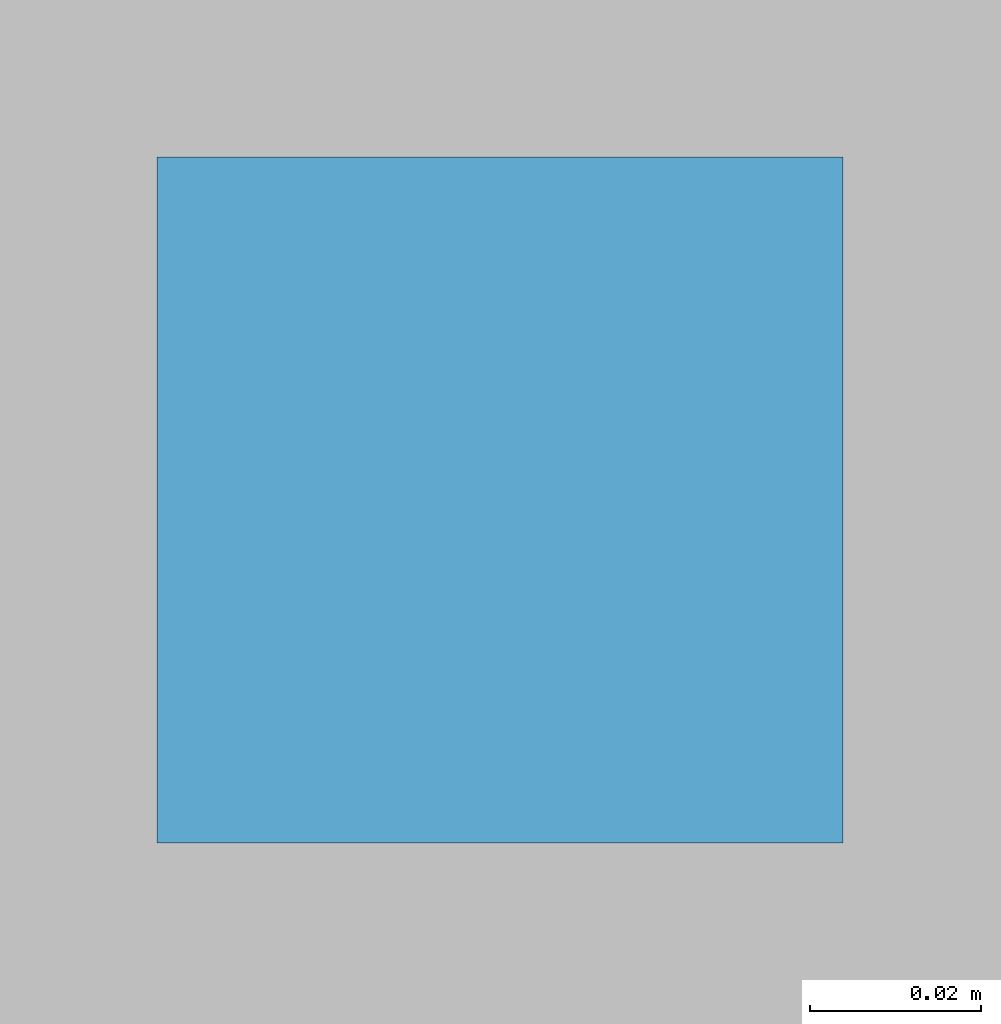
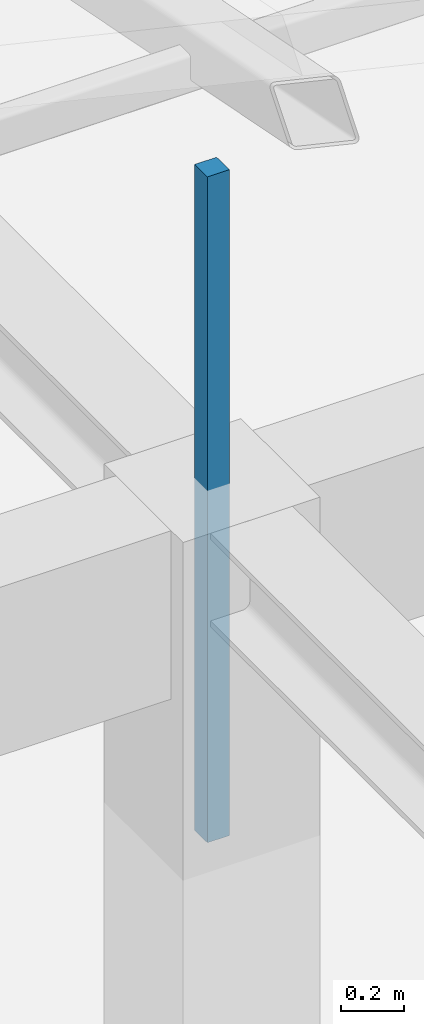
# One storey, part 62 of 65: 1 discrete accessory.
"""IFC4 building model written with IfcOpenShell, lengths in metres."""

import ifcopenshell
import ifcopenshell.guid

model = None  # the IFC model being written
_history = None  # IfcOwnerHistory: only IFC2X3 demands one
_inside = {}  # id of a spatial element -> (the spatial element, [elements in it])
_under = {}  # id of a project, library or spatial element -> (it, [spatial elements below it])
_declared = {}  # id of a project -> (the project, [libraries it declares])
_typed = {}  # id of a type object -> (the type object, [elements of that type])
_made_of = {}  # id of a material, layer set ... -> (it, [elements and type objects made of it])


def new_model(schema):
    """Start an empty IFC model of exactly this schema.

    Asked for "IFC4X3", IfcOpenShell would pick the latest addendum, in which some entities
    have other attributes; the version numbers below select the first issue.
    IFC2X3 requires an IfcOwnerHistory on every rooted entity: one is made here for all.
    """
    global model, _history
    if schema == "IFC4X3":
        model = ifcopenshell.file(schema_version=(4, 3, 0, 0))
    else:
        model = ifcopenshell.file(schema=schema)
    _inside.clear()
    _under.clear()
    _declared.clear()
    _typed.clear()
    _made_of.clear()
    _history = None
    if model.schema == "IFC2X3":
        org = make("IfcOrganization", Name="unknown")
        user = make(
            "IfcPersonAndOrganization",
            ThePerson=make("IfcPerson", FamilyName="unknown"),
            TheOrganization=org,
        )
        app = make(
            "IfcApplication",
            ApplicationDeveloper=org,
            Version="unknown",
            ApplicationFullName="unknown",
            ApplicationIdentifier="unknown",
        )
        _history = make(
            "IfcOwnerHistory",
            OwningUser=user,
            OwningApplication=app,
            ChangeAction="ADDED",
            CreationDate=0,
        )
    return model


def make(cls, **values):
    """One entity of the class cls with the attributes given. An attribute that is None is left unset."""
    return model.create_entity(
        cls, **{name: value for name, value in values.items() if value is not None}
    )


def rooted(cls, **values):
    """An entity with a GlobalId (a new one), such as an element, a storey or a relation."""
    return make(cls, GlobalId=ifcopenshell.guid.new(), OwnerHistory=_history, **values)


def si_unit(unit_type, name, prefix=None):
    """IfcSIUnit, for example si_unit("LENGTHUNIT", "METRE", prefix="MILLI")."""
    return make("IfcSIUnit", UnitType=unit_type, Prefix=prefix, Name=name)


def assignment(units):
    """IfcUnitAssignment: the units of a project."""
    return None if units is None else make("IfcUnitAssignment", Units=units)


def point(xyz):
    """IfcCartesianPoint."""
    return None if xyz is None else make("IfcCartesianPoint", Coordinates=xyz)


def direction(xyz):
    """IfcDirection."""
    return None if xyz is None else make("IfcDirection", DirectionRatios=xyz)


def frame(location, z_axis=None, x_axis=None):
    """IfcAxis2Placement3D, a coordinate frame: its origin and axes. An axis left out is left unset."""
    return make(
        "IfcAxis2Placement3D",
        Location=point(location),
        Axis=direction(z_axis),
        RefDirection=direction(x_axis),
    )


def frame_2d(location, x_axis=None):
    """IfcAxis2Placement2D, a coordinate frame in the plane: its origin and x axis."""
    return make(
        "IfcAxis2Placement2D", Location=point(location), RefDirection=direction(x_axis)
    )


def origin():
    """The frame at (0, 0, 0) with its axes left unset."""
    return frame((0.0, 0.0, 0.0))


def origin_2d():
    """The frame at (0, 0) in the plane with its x axis left unset."""
    return frame_2d((0.0, 0.0))


def place(relative_to, where):
    """IfcLocalPlacement: puts the frame where relative to a parent placement (None: the world)."""
    return make(
        "IfcLocalPlacement", PlacementRelTo=relative_to, RelativePlacement=where
    )


def context(
    kind, dimensions, precision=None, world=None, true_north=None, identifier=None
):
    """IfcGeometricRepresentationContext, for example the 3D "Model" context."""
    return make(
        "IfcGeometricRepresentationContext",
        ContextIdentifier=identifier,
        ContextType=kind,
        CoordinateSpaceDimension=dimensions,
        Precision=precision,
        WorldCoordinateSystem=world,
        TrueNorth=true_north,
    )


def subcontext(parent, identifier, kind, view, scale=None):
    """IfcGeometricRepresentationSubContext, for example "Body" below "Model"."""
    return make(
        "IfcGeometricRepresentationSubContext",
        ContextIdentifier=identifier,
        ContextType=kind,
        ParentContext=parent,
        TargetScale=scale,
        TargetView=view,
    )


def project(units=None, contexts=None):
    """IfcProject with its units and contexts."""
    return rooted(
        "IfcProject",
        Name="project",
        RepresentationContexts=contexts,
        UnitsInContext=assignment(units),
    )


def spatial(cls, under=None, at=None, **own):
    """A site, building, storey or space (cls), placed at a placement, below another one or the project."""
    s = rooted(cls, ObjectPlacement=at, **own)
    if under is not None:
        _under.setdefault(under.id(), (under, []))[1].append(s)
    return s


def profile(cls, at=None, kind="AREA", **sizes):
    """A parametric profile (cls). Its sizes go by their IFC names, for example OverallWidth=200.0."""
    return make(cls, ProfileType=kind, Position=at, **sizes)


def rectangle(**sizes):
    """IfcRectangleProfileDef."""
    return profile("IfcRectangleProfileDef", **sizes)


def extrude(swept, where, along, depth):
    """IfcExtrudedAreaSolid: the profile swept, set in the frame where, extruded along a direction by depth."""
    return make(
        "IfcExtrudedAreaSolid",
        SweptArea=swept,
        Position=where,
        ExtrudedDirection=direction(along),
        Depth=depth,
    )


def shape(context_of_items, identifier, shape_type, items):
    """IfcShapeRepresentation: the items that make up one representation, for example the "Body"."""
    return make(
        "IfcShapeRepresentation",
        ContextOfItems=context_of_items,
        RepresentationIdentifier=identifier,
        RepresentationType=shape_type,
        Items=items,
    )


def material(Name=None, Category=None):
    """IfcMaterial."""
    return make("IfcMaterial", Name=Name, Category=Category)


def layer(
    of_material, thickness, ventilated=None, Name=None, Category=None, Priority=None
):
    """IfcMaterialLayer: one layer of a wall or slab, of a material (None: an air gap)."""
    return make(
        "IfcMaterialLayer",
        Material=of_material,
        LayerThickness=thickness,
        IsVentilated=ventilated,
        Name=Name,
        Category=Category,
        Priority=Priority,
    )


def layer_set(layers, Name=None):
    """IfcMaterialLayerSet."""
    return make("IfcMaterialLayerSet", MaterialLayers=layers, LayerSetName=Name)


def made_of(thing, what):
    """Note that an element or type object is made of a material, layer set ...; save() writes the relation."""
    if what is not None:
        _made_of.setdefault(what.id(), (what, []))[1].append(thing)
    return thing


def type_object(cls, material=None, **own):
    """A type object (cls), such as IfcWallType, which elements share."""
    return made_of(rooted(cls, **own), material)


def element(
    cls,
    number,
    at=None,
    inside=None,
    cuts=None,
    type_object=None,
    material=None,
    context=None,
    identifier="Body",
    shape_type=None,
    held_by="IfcProductDefinitionShape",
    body=None,
    shapes=None,
    **own,
):
    """One element of the class cls, such as IfcWall. Its Tag is "e" and its number.

    at: its placement. inside: the storey or other place that contains it. cuts: it is an
    opening in that element (IfcRelVoidsElement). A single representation is given by context,
    identifier, shape_type and body (its items); several are given by shapes. held_by: the class
    of the entity that holds the representations. save() writes the other relations.
    """
    e = rooted(cls, Tag="e%d" % number, ObjectPlacement=at, **own)
    if body is not None:
        shapes = [shape(context, identifier, shape_type, body)]
    if shapes is not None:
        e.Representation = make(held_by, Representations=shapes)
    if inside is not None:
        _inside.setdefault(inside.id(), (inside, []))[1].append(e)
    if cuts is not None:
        rooted(
            "IfcRelVoidsElement", RelatingBuildingElement=cuts, RelatedOpeningElement=e
        )
    if type_object is not None:
        _typed.setdefault(type_object.id(), (type_object, []))[1].append(e)
    return made_of(e, material)


def aggregate(whole, parts):
    """IfcRelAggregates: a whole, such as a stair, and the parts it consists of."""
    return rooted("IfcRelAggregates", RelatingObject=whole, RelatedObjects=parts)


def save(model, path):
    """Write the relations noted so far, then the file.

    IfcRelAggregates (storeys below a building ...), IfcRelContainedInSpatialStructure (elements
    in a storey), IfcRelDefinesByType, IfcRelAssociatesMaterial and IfcRelDeclares: one each for
    every whole, place, type object, material and project.
    """
    for whole, parts in _under.values():
        aggregate(whole, parts)
    for where, things in _inside.values():
        rooted(
            "IfcRelContainedInSpatialStructure",
            RelatedElements=things,
            RelatingStructure=where,
        )
    for kind, things in _typed.values():
        rooted("IfcRelDefinesByType", RelatedObjects=things, RelatingType=kind)
    for what, things in _made_of.values():
        rooted("IfcRelAssociatesMaterial", RelatedObjects=things, RelatingMaterial=what)
    for by, libraries in _declared.values():
        rooted("IfcRelDeclares", RelatingContext=by, RelatedDefinitions=libraries)
    model.write(path)


model = new_model("IFC4")

# Units and contexts
model_context = context("Model", 3, precision=1e-05, world=origin(), true_north=direction((0.0, 1.0)))
body_context = subcontext(model_context, "Body", "Model", "MODEL_VIEW")
ifc_project = project(units=[si_unit("LENGTHUNIT", "METRE"), si_unit("AREAUNIT", "SQUARE_METRE"), si_unit("VOLUMEUNIT", "CUBIC_METRE"), si_unit("PLANEANGLEUNIT", "RADIAN"), si_unit("MASSUNIT", "GRAM", prefix="KILO")], contexts=[model_context])

# Site, building, storey
site_placement = place(None, origin())
site = spatial("IfcSite", under=ifc_project, at=site_placement, CompositionType="ELEMENT")
building_placement = place(site_placement, origin())
building = spatial("IfcBuilding", under=site, at=building_placement, Name="Varnabhumi Central Station", CompositionType="ELEMENT")
storey_placement = place(building_placement, frame((0.0, 0.0, 24.60009765625)))
storey = spatial("IfcBuildingStorey", under=building, at=storey_placement, Name="L05", CompositionType="ELEMENT", Elevation=24.60009765625)

# Discrete accessory
ifc_material = material(Name="Structural steel E350", Category="steel")
ifc_layer = layer(ifc_material, 0.159912109375, Name="Structural steel E350", Category="steel")
ifc_layer_set = layer_set([ifc_layer], Name="Structural steel E350")
discrete_accessory_type = type_object("IfcDiscreteAccessoryType", Name="ACC-SHADE-BRKT", PredefinedType="BRACKET", material=ifc_layer_set)
discrete_accessory_placement = place(storey_placement, frame((96.0, 27.0, 2.83984375), z_axis=(0.0, 0.0, 1.0), x_axis=(1.0, 0.0, 0.0)))
element("IfcDiscreteAccessory", 1, at=discrete_accessory_placement, inside=storey, type_object=discrete_accessory_type, Name="Running Staff Quiet Rest Room Central Ceiling Hanger", PredefinedType="BRACKET", context=body_context, shape_type="SweptSolid", body=[
    extrude(rectangle(XDim=0.080078125, YDim=0.080078125, at=origin_2d()), origin(), (0.0, 0.0, 1.0), 2.570068359375),
])

save(model, "model.ifc")
